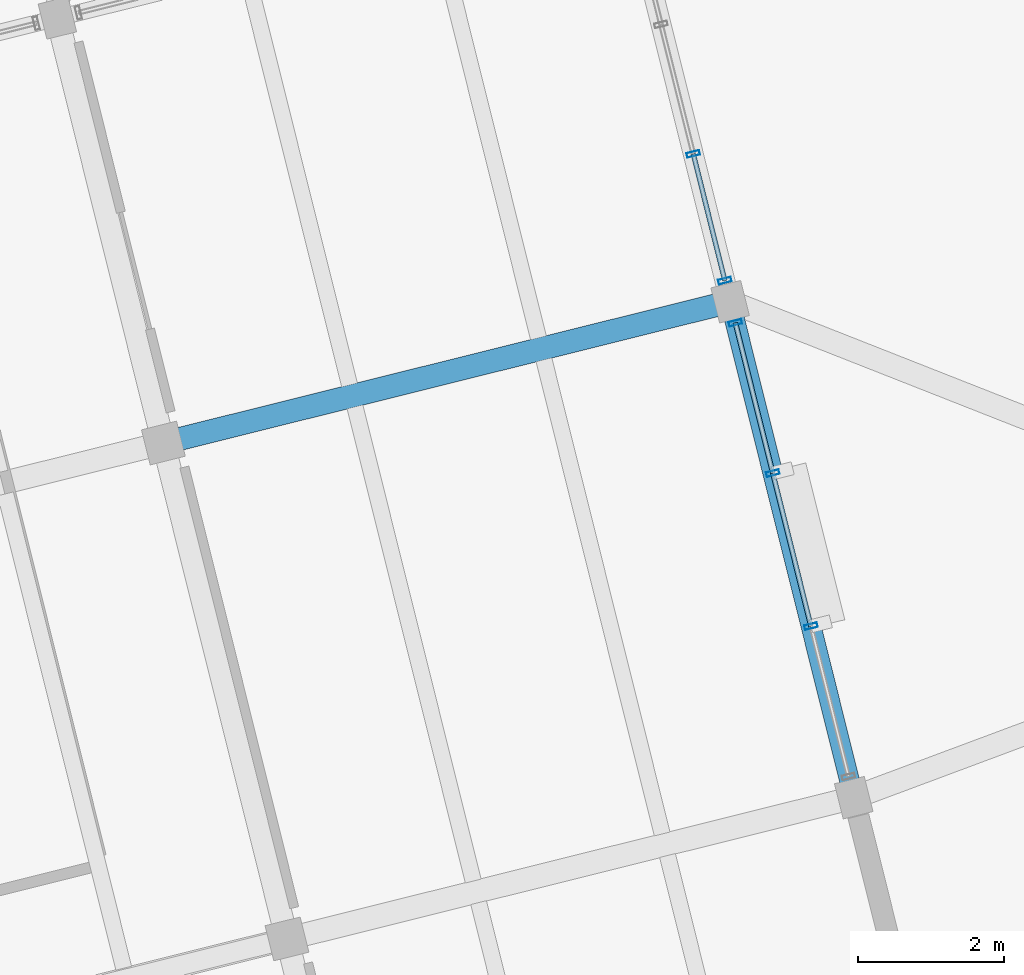
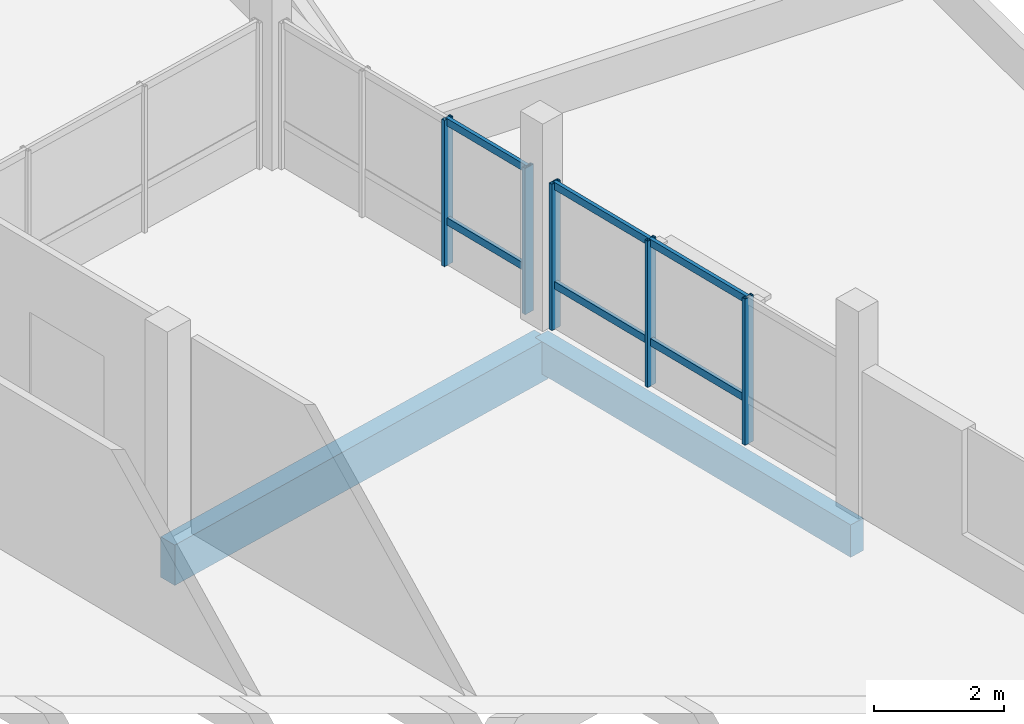
# One storey, part 28 of 37: 11 members, 2 beams, 2 elements without a shape of their own.
"""IFC4 building model written with IfcOpenShell, lengths in metres."""

from ifc_helpers import new_model, si_unit, direction, frame, origin, origin_2d, place, context, subcontext, project, spatial, rectangle, hollow_rectangle, extrude, material, layer, layer_set, material_profile, profile_set, type_object, element, aggregate, save


model = new_model("IFC4")

# Units and contexts
model_context = context("Model", 3, precision=1e-05, world=origin(), true_north=direction((0.0, 1.0)))
body_context = subcontext(model_context, "Body", "Model", "MODEL_VIEW")
ifc_project = project(units=[si_unit("LENGTHUNIT", "METRE"), si_unit("AREAUNIT", "SQUARE_METRE"), si_unit("VOLUMEUNIT", "CUBIC_METRE"), si_unit("PLANEANGLEUNIT", "RADIAN"), si_unit("MASSUNIT", "GRAM", prefix="KILO")], contexts=[model_context])

# Site, building, storey
site_placement = place(None, origin())
site = spatial("IfcSite", under=ifc_project, at=site_placement, CompositionType="ELEMENT")
building_placement = place(site_placement, origin())
building = spatial("IfcBuilding", under=site, at=building_placement, Name="Meriwether Solvik Hall", CompositionType="ELEMENT")
storey_placement = place(building_placement, frame((0.0, 0.0, 26.10009765625)))
storey = spatial("IfcBuildingStorey", under=building, at=storey_placement, Name="L06", CompositionType="ELEMENT", Elevation=26.10009765625)

# Beams
ifc_material_1 = material(Name="Glulam Douglas-Fir 24F-V8 GL28h", Category="wood")
ifc_material_profile_1 = material_profile(ifc_material_1, rectangle(XDim=0.27294921875, YDim=0.610107421875, at=origin_2d()), Name="GLB-273X610")
ifc_profile_set_1 = profile_set([ifc_material_profile_1], Name="Glulam Douglas-Fir 24F-V8 GL28h")
beam_type_1 = type_object("IfcBeamType", Name="BM-GL-273X610", PredefinedType="SPANDREL", material=ifc_profile_set_1)
beam_1_placement = place(storey_placement, frame((106.212646484375, 72.220703125, -0.5751953125), z_axis=(-0.241903692719, 0.970300264582, 0.0), x_axis=(-0.970300264582, -0.241903692719, 0.0)))
element("IfcBeam", 1, at=beam_1_placement, inside=storey, type_object=beam_type_1, Name="Tower Girder T7:TD-TE (L06)", PredefinedType="SPANDREL", context=body_context, shape_type="SweptSolid", body=[
    extrude(rectangle(XDim=0.27294921875, YDim=0.610107421875, at=origin_2d()), origin(), (0.0, 0.0, 1.0), 7.000244140625),
])
ifc_material_2 = material(Name="Glulam Douglas-Fir 24F-V8 GL28h", Category="wood")
ifc_material_profile_2 = material_profile(ifc_material_2, rectangle(XDim=0.31494140625, YDim=0.760009765625, at=origin_2d()), Name="GLB-315X760")
ifc_profile_set_2 = profile_set([ifc_material_profile_2], Name="Glulam Douglas-Fir 24F-V8 GL28h")
beam_type_2 = type_object("IfcBeamType", Name="BM-GL-315X760", PredefinedType="BEAM", material=ifc_profile_set_2)
beam_2_placement = place(storey_placement, frame((96.7568359375, 77.077392578125, -0.650146484375), z_axis=(0.970291312354, 0.241939598187, 0.0), x_axis=(-0.241939598187, 0.970291312354, 0.0)))
element("IfcBeam", 2, at=beam_2_placement, inside=storey, type_object=beam_type_2, Name="Tower Girder TE:T6-T7 (L06)", PredefinedType="BEAM", context=body_context, shape_type="SweptSolid", body=[
    extrude(rectangle(XDim=0.31494140625, YDim=0.760009765625, at=origin_2d()), origin(), (0.0, 0.0, 1.0), 8.000244140625),
])

# Curtain wall, members
ifc_material_3 = material(Name="Thermally Broken Anodised Aluminium 6063-T6 and Low-E Glass", Category="aluminium")
ifc_layer_1 = layer(ifc_material_3, 0.179931640625)
ifc_layer_set_1 = layer_set([ifc_layer_1], Name="Thermally Broken Anodised Aluminium 6063-T6 and Low-E Glass")
curtain_wall_type_1 = type_object("IfcCurtainWallType", Name="CW-UNIT-A", PredefinedType="USERDEFINED", material=ifc_layer_set_1)
curtain_wall_1_placement = place(storey_placement, origin())
curtain_wall_1 = element("IfcCurtainWall", 3, at=curtain_wall_1_placement, inside=storey, type_object=curtain_wall_type_1, Name="Curtain Wall E3_B1 (L06)", ObjectType="UNITISED CURTAIN WALL", PredefinedType="USERDEFINED")
ifc_material_4 = material(Name="Anodised Aluminium 6063-T6", Category="aluminium")
ifc_material_profile_3 = material_profile(ifc_material_4, hollow_rectangle(XDim=0.06494140625, YDim=0.179931640625, WallThickness=0.00439453125, at=origin_2d()), Name="CWM-65X180")
ifc_profile_set_3 = profile_set([ifc_material_profile_3], Name="Anodised Aluminium 6063-T6")
member_type_1 = type_object("IfcMemberType", Name="CW-MUL-65X180", PredefinedType="MULLION", material=ifc_profile_set_3)
member_1_placement = place(storey_placement, frame((104.591064453125, 78.72412109375, 0.0), z_axis=(0.0, 0.0, 1.0), x_axis=(0.241921764185, -0.970295759041, 0.0)))
member_1 = element("IfcMember", 4, at=member_1_placement, type_object=member_type_1, Name="Curtain Wall Mullion 1", PredefinedType="MULLION", context=body_context, shape_type="SweptSolid", body=[
    extrude(hollow_rectangle(XDim=0.06494140625, YDim=0.179931640625, WallThickness=0.00439453125, at=origin_2d()), origin(), (0.0, 0.0, 1.0), 2.75),
])
member_2_placement = place(storey_placement, frame((105.1044921875, 76.664794921875, 0.0), z_axis=(0.0, 0.0, 1.0), x_axis=(0.241921764185, -0.970295759041, 0.0)))
member_2 = element("IfcMember", 5, at=member_2_placement, type_object=member_type_1, Name="Curtain Wall Mullion 2", PredefinedType="MULLION", context=body_context, shape_type="SweptSolid", body=[
    extrude(hollow_rectangle(XDim=0.06494140625, YDim=0.179931640625, WallThickness=0.00439453125, at=origin_2d()), origin(), (0.0, 0.0, 1.0), 2.75),
])
member_3_placement = place(storey_placement, frame((105.627197265625, 74.56884765625, 0.0), z_axis=(0.0, 0.0, 1.0), x_axis=(0.241921764185, -0.970295759041, 0.0)))
member_3 = element("IfcMember", 6, at=member_3_placement, type_object=member_type_1, Name="Curtain Wall Mullion 3", PredefinedType="MULLION", context=body_context, shape_type="SweptSolid", body=[
    extrude(hollow_rectangle(XDim=0.06494140625, YDim=0.179931640625, WallThickness=0.00439453125, at=origin_2d()), origin(), (0.0, 0.0, 1.0), 2.75),
])

ifc_material_5 = material(Name="Thermally Broken Anodised Aluminium 6063-T6 and Low-E Glass", Category="aluminium")
ifc_layer_2 = layer(ifc_material_5, 0.179931640625)
ifc_layer_set_2 = layer_set([ifc_layer_2], Name="Thermally Broken Anodised Aluminium 6063-T6 and Low-E Glass")
curtain_wall_type_2 = type_object("IfcCurtainWallType", Name="CW-UNIT-B", PredefinedType="USERDEFINED", material=ifc_layer_set_2)
curtain_wall_2_placement = place(storey_placement, origin())
curtain_wall_2 = element("IfcCurtainWall", 7, at=curtain_wall_2_placement, inside=storey, type_object=curtain_wall_type_2, Name="Curtain Wall E3_B2 (L06)", ObjectType="UNITISED CURTAIN WALL", PredefinedType="USERDEFINED")
member_4_placement = place(storey_placement, frame((104.014404296875, 81.037353515625, 0.0), z_axis=(0.0, 0.0, 1.0), x_axis=(0.241921905778, -0.970295723738, 0.0)))
member_4 = element("IfcMember", 8, at=member_4_placement, type_object=member_type_1, Name="Curtain Wall Mullion 3", PredefinedType="MULLION", context=body_context, shape_type="SweptSolid", body=[
    extrude(hollow_rectangle(XDim=0.06494140625, YDim=0.179931640625, WallThickness=0.00439453125, at=origin_2d()), origin(), (0.0, 0.0, 1.0), 2.75),
])
member_5_placement = place(storey_placement, frame((104.447265625, 79.301513671875, 0.0), z_axis=(0.0, 0.0, 1.0), x_axis=(0.241921905778, -0.970295723738, 0.0)))
member_5 = element("IfcMember", 9, at=member_5_placement, type_object=member_type_1, Name="Curtain Wall Mullion 4", PredefinedType="MULLION", context=body_context, shape_type="SweptSolid", body=[
    extrude(hollow_rectangle(XDim=0.06494140625, YDim=0.179931640625, WallThickness=0.00439453125, at=origin_2d()), origin(), (0.0, 0.0, 1.0), 2.75),
])

# Member
ifc_material_6 = material(Name="Anodised Aluminium 6063-T6", Category="aluminium")
ifc_material_profile_4 = material_profile(ifc_material_6, hollow_rectangle(XDim=0.06494140625, YDim=0.139892578125, WallThickness=0.00439453125, at=origin_2d()), Name="CWT-65X140")
ifc_profile_set_4 = profile_set([ifc_material_profile_4], Name="Anodised Aluminium 6063-T6")
member_type_2 = type_object("IfcMemberType", Name="CW-TRN-65X140", PredefinedType="USERDEFINED", material=ifc_profile_set_4)
member_6_placement = place(storey_placement, frame((104.591064453125, 78.72412109375, 0.824951171875), z_axis=(0.241913047052, -0.970297932424, 0.0), x_axis=(0.970297932424, 0.241913047052, 0.0)))
member_6 = element("IfcMember", 10, at=member_6_placement, type_object=member_type_2, Name="Curtain Wall Transom 1-sill", ObjectType="TRANSOM", PredefinedType="USERDEFINED", context=body_context, shape_type="SweptSolid", body=[
    extrude(hollow_rectangle(XDim=0.06494140625, YDim=0.139892578125, WallThickness=0.00439453125, at=origin_2d()), origin(), (0.0, 0.0, 1.0), 2.122314453125),
])

member_7_placement = place(storey_placement, frame((104.591064453125, 78.72412109375, 2.68994140625), z_axis=(0.241913047052, -0.970297932424, 0.0), x_axis=(0.970297932424, 0.241913047052, 0.0)))
member_7 = element("IfcMember", 11, at=member_7_placement, type_object=member_type_2, Name="Curtain Wall Transom 1-head", ObjectType="TRANSOM", PredefinedType="USERDEFINED", context=body_context, shape_type="SweptSolid", body=[
    extrude(hollow_rectangle(XDim=0.06494140625, YDim=0.139892578125, WallThickness=0.00439453125, at=origin_2d()), origin(), (0.0, 0.0, 1.0), 2.122314453125),
])

member_8_placement = place(storey_placement, frame((105.1044921875, 76.664794921875, 0.824951171875), z_axis=(0.241977130064, -0.970281953107, 0.0), x_axis=(0.970281953107, 0.241977130064, 0.0)))
member_8 = element("IfcMember", 12, at=member_8_placement, type_object=member_type_2, Name="Curtain Wall Transom 2-sill", ObjectType="TRANSOM", PredefinedType="USERDEFINED", context=body_context, shape_type="SweptSolid", body=[
    extrude(hollow_rectangle(XDim=0.06494140625, YDim=0.139892578125, WallThickness=0.00439453125, at=origin_2d()), origin(), (0.0, 0.0, 1.0), 2.16015625),
])

member_9_placement = place(storey_placement, frame((105.1044921875, 76.664794921875, 2.68994140625), z_axis=(0.241977130064, -0.970281953107, 0.0), x_axis=(0.970281953107, 0.241977130064, 0.0)))
member_9 = element("IfcMember", 13, at=member_9_placement, type_object=member_type_2, Name="Curtain Wall Transom 2-head", ObjectType="TRANSOM", PredefinedType="USERDEFINED", context=body_context, shape_type="SweptSolid", body=[
    extrude(hollow_rectangle(XDim=0.06494140625, YDim=0.139892578125, WallThickness=0.00439453125, at=origin_2d()), origin(), (0.0, 0.0, 1.0), 2.16015625),
])

aggregate(curtain_wall_1, [member_1, member_2, member_3, member_6, member_7, member_8, member_9])

member_10_placement = place(storey_placement, frame((104.014404296875, 81.037353515625, 0.824951171875), z_axis=(0.241957600267, -0.970286823405, 0.0), x_axis=(0.970286823405, 0.241957600267, 0.0)))
member_10 = element("IfcMember", 14, at=member_10_placement, type_object=member_type_2, Name="Curtain Wall Transom 3-sill", ObjectType="TRANSOM", PredefinedType="USERDEFINED", context=body_context, shape_type="SweptSolid", body=[
    extrude(hollow_rectangle(XDim=0.06494140625, YDim=0.139892578125, WallThickness=0.00439453125, at=origin_2d()), origin(), (0.0, 0.0, 1.0), 1.7890625),
])

member_11_placement = place(storey_placement, frame((104.014404296875, 81.037353515625, 2.68994140625), z_axis=(0.241957600267, -0.970286823405, 0.0), x_axis=(0.970286823405, 0.241957600267, 0.0)))
member_11 = element("IfcMember", 15, at=member_11_placement, type_object=member_type_2, Name="Curtain Wall Transom 3-head", ObjectType="TRANSOM", PredefinedType="USERDEFINED", context=body_context, shape_type="SweptSolid", body=[
    extrude(hollow_rectangle(XDim=0.06494140625, YDim=0.139892578125, WallThickness=0.00439453125, at=origin_2d()), origin(), (0.0, 0.0, 1.0), 1.7890625),
])

aggregate(curtain_wall_2, [member_4, member_5, member_10, member_11])

save(model, "model.ifc")
